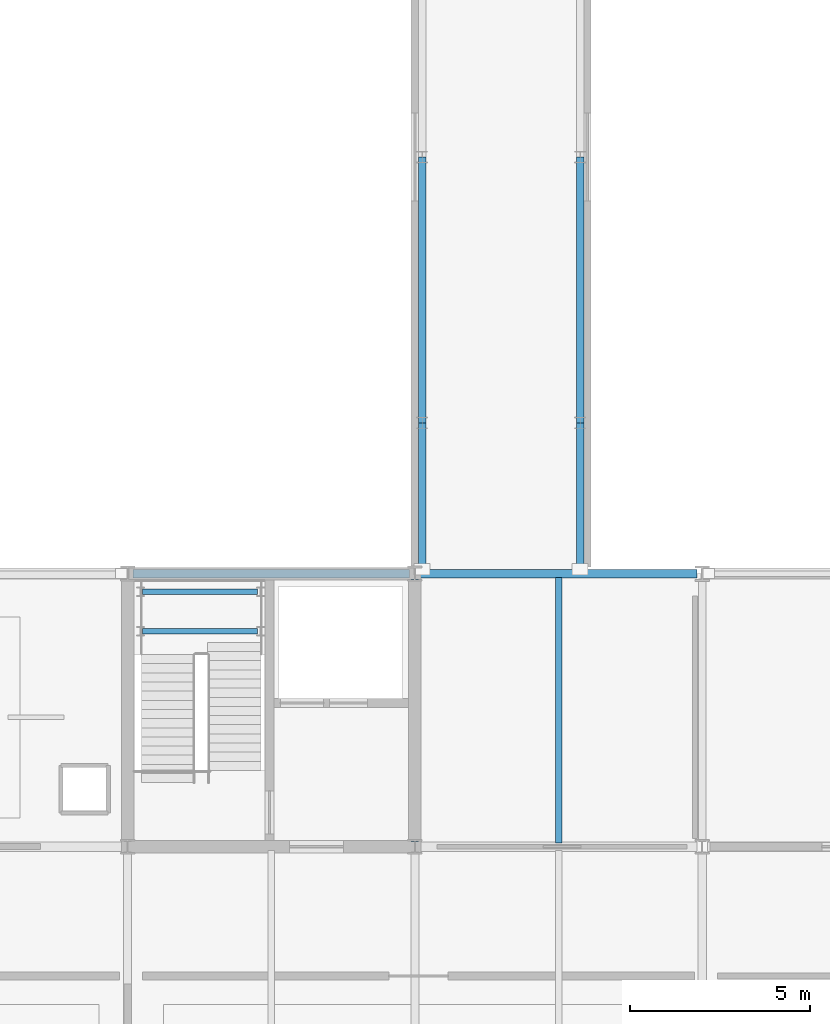
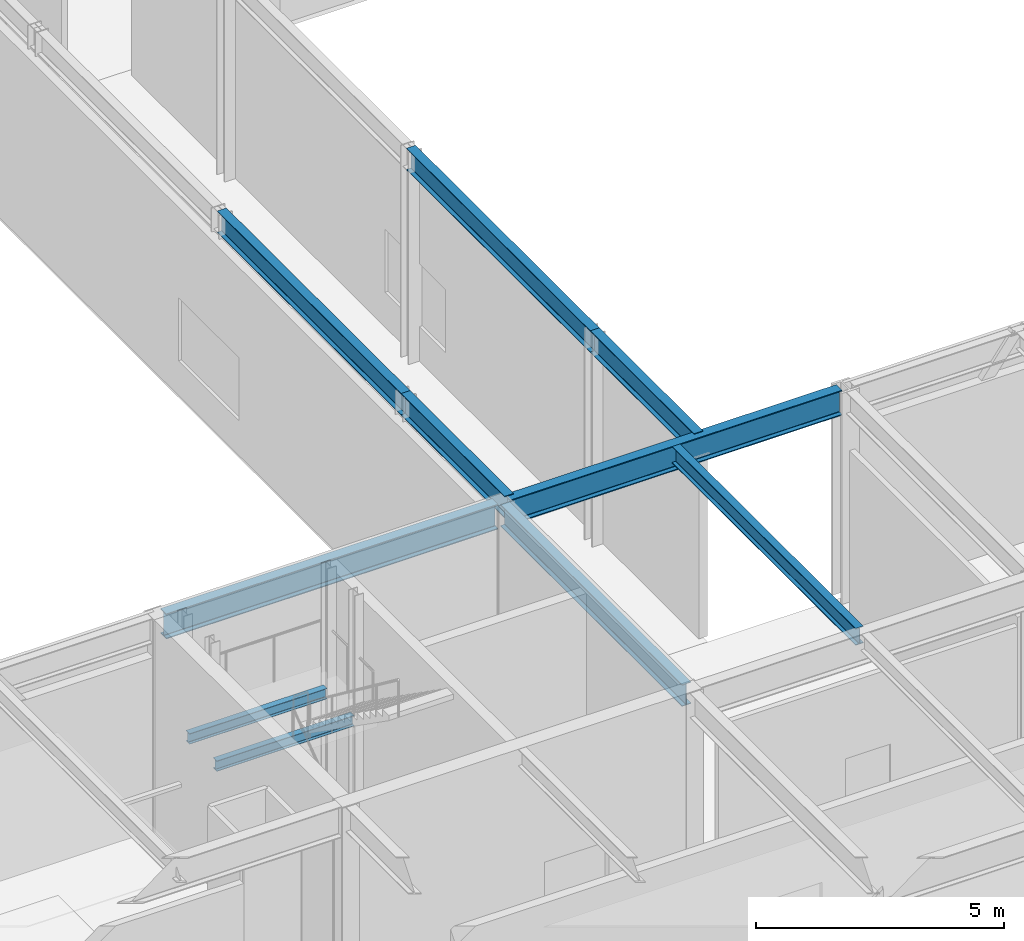
# One storey, part 26 of 94: 10 beams.
"""IFC4 building model written with IfcOpenShell, lengths in metres."""

from ifc_helpers import new_model, si_unit, direction, frame, origin, origin_2d, place, context, subcontext, project, spatial, i_section, extrude, material, material_profile, profile_set, type_object, element, save


model = new_model("IFC4")

# Units and contexts
model_context = context("Model", 3, precision=1e-05, world=origin(), true_north=direction((0.0, 1.0)))
body_context = subcontext(model_context, "Body", "Model", "MODEL_VIEW")
ifc_project = project(units=[si_unit("LENGTHUNIT", "METRE"), si_unit("AREAUNIT", "SQUARE_METRE"), si_unit("VOLUMEUNIT", "CUBIC_METRE"), si_unit("PLANEANGLEUNIT", "RADIAN"), si_unit("MASSUNIT", "GRAM", prefix="KILO")], contexts=[model_context])

# Site, building, storey
site_placement = place(None, origin())
site = spatial("IfcSite", under=ifc_project, at=site_placement, CompositionType="ELEMENT")
building_placement = place(site_placement, origin())
building = spatial("IfcBuilding", under=site, at=building_placement, Name="Zulena Civic Courthouse", CompositionType="ELEMENT")
storey_placement = place(building_placement, frame((0.0, 0.0, 5.39990234375)))
storey = spatial("IfcBuildingStorey", under=building, at=storey_placement, Name="L01", CompositionType="ELEMENT", Elevation=5.39990234375)

# Beams
ifc_material = material(Name="Steel ASTM A992 Grade 50", Category="steel")
ifc_material_profile_1 = material_profile(ifc_material, i_section(OverallWidth=0.2099609375, OverallDepth=0.537109375, WebThickness=0.010986328125, FlangeThickness=0.017333984375, FilletRadius=0.0126953125, at=origin_2d()), Name="W21X68")
ifc_profile_set_1 = profile_set([ifc_material_profile_1], Name="Steel ASTM A992 Grade 50")
beam_type_1 = type_object("IfcBeamType", Name="BridgeGirder_W21X68", PredefinedType="BEAM", material=ifc_profile_set_1)
beam_1_placement = place(storey_placement, frame((28.199951171875, 22.830078125, 4.9365234375), z_axis=(0.0, 1.0, 0.0), x_axis=(-1.0, 0.0, 0.0)))
element("IfcBeam", 1, at=beam_1_placement, inside=storey, type_object=beam_type_1, Name="beam:bridge:BR-52J:L02:28.20:0", PredefinedType="BEAM", context=body_context, shape_type="SweptSolid", body=[
    extrude(i_section(OverallWidth=0.2099609375, OverallDepth=0.537109375, WebThickness=0.010986328125, FlangeThickness=0.017333984375, FilletRadius=0.0126953125, at=origin_2d()), origin(), (0.0, 0.0, 1.0), 4.169921875),
])
beam_2_placement = place(storey_placement, frame((28.199951171875, 27.0, 4.9365234375), z_axis=(0.0, 1.0, 0.0), x_axis=(-1.0, 0.0, 0.0)))
element("IfcBeam", 2, at=beam_2_placement, inside=storey, type_object=beam_type_1, Name="beam:bridge:BR-52J:L02:28.20:1", PredefinedType="BEAM", context=body_context, shape_type="SweptSolid", body=[
    extrude(i_section(OverallWidth=0.2099609375, OverallDepth=0.537109375, WebThickness=0.010986328125, FlangeThickness=0.017333984375, FilletRadius=0.0126953125, at=origin_2d()), origin(), (0.0, 0.0, 1.0), 7.39990234375),
])
beam_3_placement = place(storey_placement, frame((32.60009765625, 22.830078125, 4.9365234375), z_axis=(0.0, 1.0, 0.0), x_axis=(-1.0, 0.0, 0.0)))
element("IfcBeam", 3, at=beam_3_placement, inside=storey, type_object=beam_type_1, Name="beam:bridge:BR-52J:L02:32.60:0", PredefinedType="BEAM", context=body_context, shape_type="SweptSolid", body=[
    extrude(i_section(OverallWidth=0.2099609375, OverallDepth=0.537109375, WebThickness=0.010986328125, FlangeThickness=0.017333984375, FilletRadius=0.0126953125, at=origin_2d()), origin(), (0.0, 0.0, 1.0), 4.169921875),
])
beam_4_placement = place(storey_placement, frame((32.60009765625, 27.0, 4.9365234375), z_axis=(0.0, 1.0, 0.0), x_axis=(-1.0, 0.0, 0.0)))
element("IfcBeam", 4, at=beam_4_placement, inside=storey, type_object=beam_type_1, Name="beam:bridge:BR-52J:L02:32.60:1", PredefinedType="BEAM", context=body_context, shape_type="SweptSolid", body=[
    extrude(i_section(OverallWidth=0.2099609375, OverallDepth=0.537109375, WebThickness=0.010986328125, FlangeThickness=0.017333984375, FilletRadius=0.0126953125, at=origin_2d()), origin(), (0.0, 0.0, 1.0), 7.39990234375),
])
ifc_material_profile_2 = material_profile(ifc_material, i_section(OverallWidth=0.14599609375, OverallDepth=0.258056640625, WebThickness=0.006103515625, FlangeThickness=0.009033203125, FilletRadius=0.007568359375, at=origin_2d()), Name="W10X22")
ifc_profile_set_2 = profile_set([ifc_material_profile_2], Name="Steel ASTM A992 Grade 50")
beam_type_2 = type_object("IfcBeamType", Name="Joist_W10X22", PredefinedType="JOIST", material=ifc_profile_set_2)
for number, where, z_axis, x_axis, name in (
    (5, (20.419921875, 21.199951171875, 2.291015625), (1.0, 0.0, 0.0), (0.0, 1.0, 0.0), "beam:lnd:K2A:L01:0"),
    (6, (20.419921875, 22.300048828125, 2.291015625), (1.0, 0.0, 0.0), (0.0, 1.0, 0.0), "beam:lnd:K2A:L01:1"),
):
    element("IfcBeam", number, at=place(storey_placement, frame(where, z_axis=z_axis, x_axis=x_axis)), inside=storey, type_object=beam_type_2, Name=name, PredefinedType="JOIST", context=body_context, shape_type="SweptSolid", body=[
        extrude(i_section(OverallWidth=0.14599609375, OverallDepth=0.258056640625, WebThickness=0.006103515625, FlangeThickness=0.009033203125, FilletRadius=0.007568359375, at=origin_2d()), origin(), (0.0, 0.0, 1.0), 3.2001953125),
    ])
ifc_material_profile_3 = material_profile(ifc_material, i_section(OverallWidth=0.180908203125, OverallDepth=0.4169921875, WebThickness=0.010986328125, FlangeThickness=0.018310546875, FilletRadius=0.01025390625, at=origin_2d()), Name="W16X57")
ifc_profile_set_3 = profile_set([ifc_material_profile_3], Name="Steel ASTM A992 Grade 50")
beam_type_3 = type_object("IfcBeamType", Name="Joist_W16X57", PredefinedType="JOIST", material=ifc_profile_set_3)
beam_5_placement = place(storey_placement, frame((32.0, 15.304931640625, 4.9765625), z_axis=(0.0, 1.0, 0.0), x_axis=(-1.0, 0.0, 0.0)))
element("IfcBeam", 7, at=beam_5_placement, inside=storey, type_object=beam_type_3, Name="joist:V2:L01:32.00:15.2_22.8", PredefinedType="JOIST", context=body_context, shape_type="SweptSolid", body=[
    extrude(i_section(OverallWidth=0.180908203125, OverallDepth=0.4169921875, WebThickness=0.010986328125, FlangeThickness=0.018310546875, FilletRadius=0.01025390625, at=origin_2d()), origin(), (0.0, 0.0, 1.0), 7.39013671875),
])
ifc_material_profile_4 = material_profile(ifc_material, i_section(OverallWidth=0.2099609375, OverallDepth=0.537109375, WebThickness=0.010986328125, FlangeThickness=0.017333984375, FilletRadius=0.0126953125, at=origin_2d()), Name="W21X68")
ifc_profile_set_4 = profile_set([ifc_material_profile_4], Name="Steel ASTM A992 Grade 50")
beam_type_4 = type_object("IfcBeamType", Name="Spandrel_W21X68", PredefinedType="SPANDREL", material=ifc_profile_set_4)
beam_6_placement = place(storey_placement, frame((28.0, 15.344970703125, 4.91650390625), z_axis=(0.0, 1.0, 0.0), x_axis=(-1.0, 0.0, 0.0)))
element("IfcBeam", 8, at=beam_6_placement, inside=storey, type_object=beam_type_4, Name="beam:Y:V2:L01:28.0:15.2_22.8", PredefinedType="SPANDREL", context=body_context, shape_type="SweptSolid", body=[
    extrude(i_section(OverallWidth=0.2099609375, OverallDepth=0.537109375, WebThickness=0.010986328125, FlangeThickness=0.017333984375, FilletRadius=0.0126953125, at=origin_2d()), origin(), (0.0, 0.0, 1.0), 7.31005859375),
])
ifc_material_profile_5 = material_profile(ifc_material, i_section(OverallWidth=0.22998046875, OverallDepth=0.616943359375, WebThickness=0.01318359375, FlangeThickness=0.022216796875, FilletRadius=0.0126953125, at=origin_2d()), Name="W24X94")
ifc_profile_set_5 = profile_set([ifc_material_profile_5], Name="Steel ASTM A992 Grade 50")
beam_type_5 = type_object("IfcBeamType", Name="Spandrel_W24X94", PredefinedType="SPANDREL", material=ifc_profile_set_5)
for number, where, z_axis, x_axis, name in (
    (9, (20.14501953125, 22.800048828125, 4.876708984375), (1.0, 0.0, 0.0), (0.0, 1.0, 0.0), "beam:X:V2:L01:22.8:20.0_28.0"),
    (10, (28.14501953125, 22.800048828125, 4.876708984375), (1.0, 0.0, 0.0), (0.0, 1.0, 0.0), "beam:X:V2:L01:22.8:28.0_36.0"),
):
    element("IfcBeam", number, at=place(storey_placement, frame(where, z_axis=z_axis, x_axis=x_axis)), inside=storey, type_object=beam_type_5, Name=name, PredefinedType="SPANDREL", context=body_context, shape_type="SweptSolid", body=[
        extrude(i_section(OverallWidth=0.22998046875, OverallDepth=0.616943359375, WebThickness=0.01318359375, FlangeThickness=0.022216796875, FilletRadius=0.0126953125, at=origin_2d()), origin(), (0.0, 0.0, 1.0), 7.7099609375),
    ])

save(model, "model.ifc")
